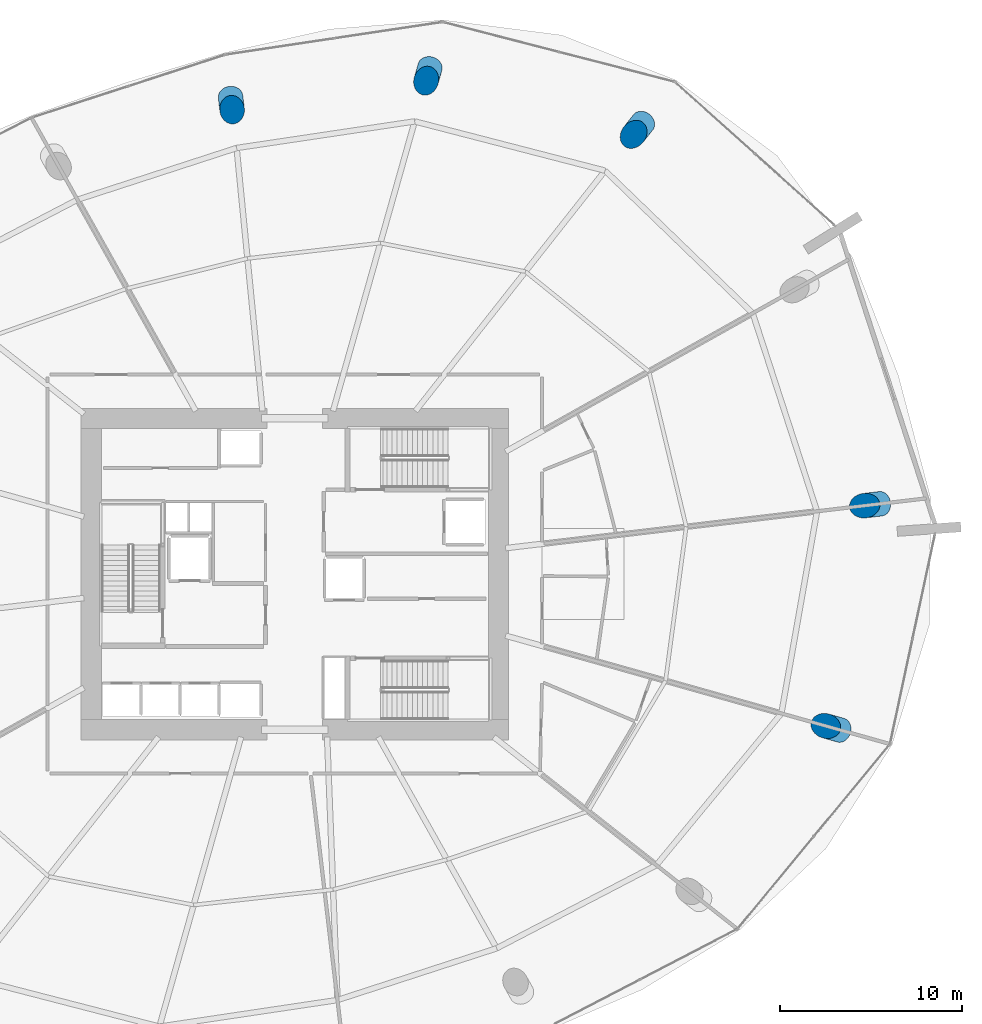
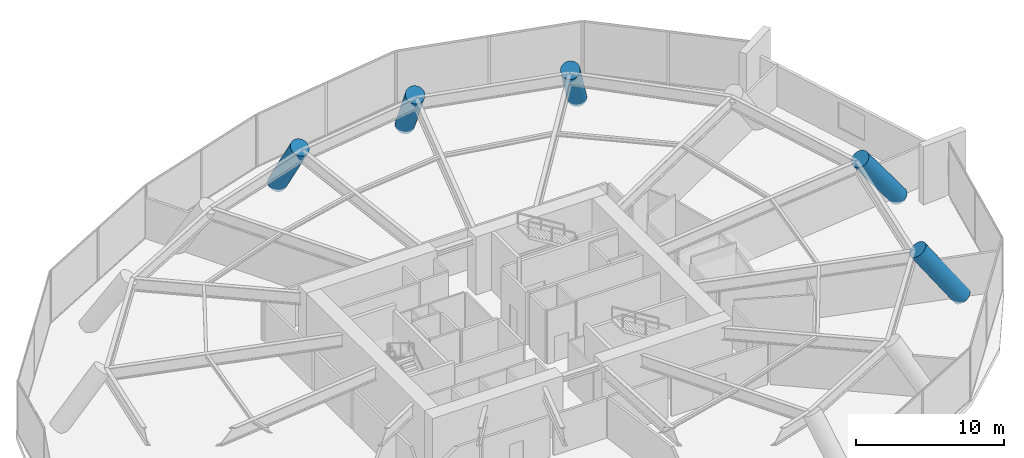
# One storey, part 6 of 21: 5 columns.
"""IFC4 building model written with IfcOpenShell, lengths in metres."""

import ifcopenshell
import ifcopenshell.guid

model = None  # the IFC model being written
_history = None  # IfcOwnerHistory: only IFC2X3 demands one
_inside = {}  # id of a spatial element -> (the spatial element, [elements in it])
_under = {}  # id of a project, library or spatial element -> (it, [spatial elements below it])
_declared = {}  # id of a project -> (the project, [libraries it declares])
_typed = {}  # id of a type object -> (the type object, [elements of that type])
_made_of = {}  # id of a material, layer set ... -> (it, [elements and type objects made of it])


def new_model(schema):
    """Start an empty IFC model of exactly this schema.

    Asked for "IFC4X3", IfcOpenShell would pick the latest addendum, in which some entities
    have other attributes; the version numbers below select the first issue.
    IFC2X3 requires an IfcOwnerHistory on every rooted entity: one is made here for all.
    """
    global model, _history
    if schema == "IFC4X3":
        model = ifcopenshell.file(schema_version=(4, 3, 0, 0))
    else:
        model = ifcopenshell.file(schema=schema)
    _inside.clear()
    _under.clear()
    _declared.clear()
    _typed.clear()
    _made_of.clear()
    _history = None
    if model.schema == "IFC2X3":
        org = make("IfcOrganization", Name="unknown")
        user = make(
            "IfcPersonAndOrganization",
            ThePerson=make("IfcPerson", FamilyName="unknown"),
            TheOrganization=org,
        )
        app = make(
            "IfcApplication",
            ApplicationDeveloper=org,
            Version="unknown",
            ApplicationFullName="unknown",
            ApplicationIdentifier="unknown",
        )
        _history = make(
            "IfcOwnerHistory",
            OwningUser=user,
            OwningApplication=app,
            ChangeAction="ADDED",
            CreationDate=0,
        )
    return model


def make(cls, **values):
    """One entity of the class cls with the attributes given. An attribute that is None is left unset."""
    return model.create_entity(
        cls, **{name: value for name, value in values.items() if value is not None}
    )


def rooted(cls, **values):
    """An entity with a GlobalId (a new one), such as an element, a storey or a relation."""
    return make(cls, GlobalId=ifcopenshell.guid.new(), OwnerHistory=_history, **values)


def si_unit(unit_type, name, prefix=None):
    """IfcSIUnit, for example si_unit("LENGTHUNIT", "METRE", prefix="MILLI")."""
    return make("IfcSIUnit", UnitType=unit_type, Prefix=prefix, Name=name)


def assignment(units):
    """IfcUnitAssignment: the units of a project."""
    return None if units is None else make("IfcUnitAssignment", Units=units)


def point(xyz):
    """IfcCartesianPoint."""
    return None if xyz is None else make("IfcCartesianPoint", Coordinates=xyz)


def direction(xyz):
    """IfcDirection."""
    return None if xyz is None else make("IfcDirection", DirectionRatios=xyz)


def frame(location, z_axis=None, x_axis=None):
    """IfcAxis2Placement3D, a coordinate frame: its origin and axes. An axis left out is left unset."""
    return make(
        "IfcAxis2Placement3D",
        Location=point(location),
        Axis=direction(z_axis),
        RefDirection=direction(x_axis),
    )


def frame_2d(location, x_axis=None):
    """IfcAxis2Placement2D, a coordinate frame in the plane: its origin and x axis."""
    return make(
        "IfcAxis2Placement2D", Location=point(location), RefDirection=direction(x_axis)
    )


def origin():
    """The frame at (0, 0, 0) with its axes left unset."""
    return frame((0.0, 0.0, 0.0))


def origin_2d():
    """The frame at (0, 0) in the plane with its x axis left unset."""
    return frame_2d((0.0, 0.0))


def place(relative_to, where):
    """IfcLocalPlacement: puts the frame where relative to a parent placement (None: the world)."""
    return make(
        "IfcLocalPlacement", PlacementRelTo=relative_to, RelativePlacement=where
    )


def context(
    kind, dimensions, precision=None, world=None, true_north=None, identifier=None
):
    """IfcGeometricRepresentationContext, for example the 3D "Model" context."""
    return make(
        "IfcGeometricRepresentationContext",
        ContextIdentifier=identifier,
        ContextType=kind,
        CoordinateSpaceDimension=dimensions,
        Precision=precision,
        WorldCoordinateSystem=world,
        TrueNorth=true_north,
    )


def subcontext(parent, identifier, kind, view, scale=None):
    """IfcGeometricRepresentationSubContext, for example "Body" below "Model"."""
    return make(
        "IfcGeometricRepresentationSubContext",
        ContextIdentifier=identifier,
        ContextType=kind,
        ParentContext=parent,
        TargetScale=scale,
        TargetView=view,
    )


def project(units=None, contexts=None):
    """IfcProject with its units and contexts."""
    return rooted(
        "IfcProject",
        Name="project",
        RepresentationContexts=contexts,
        UnitsInContext=assignment(units),
    )


def spatial(cls, under=None, at=None, **own):
    """A site, building, storey or space (cls), placed at a placement, below another one or the project."""
    s = rooted(cls, ObjectPlacement=at, **own)
    if under is not None:
        _under.setdefault(under.id(), (under, []))[1].append(s)
    return s


def profile(cls, at=None, kind="AREA", **sizes):
    """A parametric profile (cls). Its sizes go by their IFC names, for example OverallWidth=200.0."""
    return make(cls, ProfileType=kind, Position=at, **sizes)


def circle(**sizes):
    """IfcCircleProfileDef."""
    return profile("IfcCircleProfileDef", **sizes)


def extrude(swept, where, along, depth):
    """IfcExtrudedAreaSolid: the profile swept, set in the frame where, extruded along a direction by depth."""
    return make(
        "IfcExtrudedAreaSolid",
        SweptArea=swept,
        Position=where,
        ExtrudedDirection=direction(along),
        Depth=depth,
    )


def shape(context_of_items, identifier, shape_type, items):
    """IfcShapeRepresentation: the items that make up one representation, for example the "Body"."""
    return make(
        "IfcShapeRepresentation",
        ContextOfItems=context_of_items,
        RepresentationIdentifier=identifier,
        RepresentationType=shape_type,
        Items=items,
    )


def material(Name=None, Category=None):
    """IfcMaterial."""
    return make("IfcMaterial", Name=Name, Category=Category)


def material_profile(
    of_material, cross_section, Name=None, Category=None, Priority=None
):
    """IfcMaterialProfile: a cross section and its material."""
    return make(
        "IfcMaterialProfile",
        Name=Name,
        Material=of_material,
        Profile=cross_section,
        Priority=Priority,
        Category=Category,
    )


def profile_set(profiles, Name=None, composite=None):
    """IfcMaterialProfileSet."""
    return make(
        "IfcMaterialProfileSet",
        Name=Name,
        MaterialProfiles=profiles,
        CompositeProfile=composite,
    )


def made_of(thing, what):
    """Note that an element or type object is made of a material, layer set ...; save() writes the relation."""
    if what is not None:
        _made_of.setdefault(what.id(), (what, []))[1].append(thing)
    return thing


def type_object(cls, material=None, **own):
    """A type object (cls), such as IfcWallType, which elements share."""
    return made_of(rooted(cls, **own), material)


def element(
    cls,
    number,
    at=None,
    inside=None,
    cuts=None,
    type_object=None,
    material=None,
    context=None,
    identifier="Body",
    shape_type=None,
    held_by="IfcProductDefinitionShape",
    body=None,
    shapes=None,
    **own,
):
    """One element of the class cls, such as IfcWall. Its Tag is "e" and its number.

    at: its placement. inside: the storey or other place that contains it. cuts: it is an
    opening in that element (IfcRelVoidsElement). A single representation is given by context,
    identifier, shape_type and body (its items); several are given by shapes. held_by: the class
    of the entity that holds the representations. save() writes the other relations.
    """
    e = rooted(cls, Tag="e%d" % number, ObjectPlacement=at, **own)
    if body is not None:
        shapes = [shape(context, identifier, shape_type, body)]
    if shapes is not None:
        e.Representation = make(held_by, Representations=shapes)
    if inside is not None:
        _inside.setdefault(inside.id(), (inside, []))[1].append(e)
    if cuts is not None:
        rooted(
            "IfcRelVoidsElement", RelatingBuildingElement=cuts, RelatedOpeningElement=e
        )
    if type_object is not None:
        _typed.setdefault(type_object.id(), (type_object, []))[1].append(e)
    return made_of(e, material)


def aggregate(whole, parts):
    """IfcRelAggregates: a whole, such as a stair, and the parts it consists of."""
    return rooted("IfcRelAggregates", RelatingObject=whole, RelatedObjects=parts)


def save(model, path):
    """Write the relations noted so far, then the file.

    IfcRelAggregates (storeys below a building ...), IfcRelContainedInSpatialStructure (elements
    in a storey), IfcRelDefinesByType, IfcRelAssociatesMaterial and IfcRelDeclares: one each for
    every whole, place, type object, material and project.
    """
    for whole, parts in _under.values():
        aggregate(whole, parts)
    for where, things in _inside.values():
        rooted(
            "IfcRelContainedInSpatialStructure",
            RelatedElements=things,
            RelatingStructure=where,
        )
    for kind, things in _typed.values():
        rooted("IfcRelDefinesByType", RelatedObjects=things, RelatingType=kind)
    for what, things in _made_of.values():
        rooted("IfcRelAssociatesMaterial", RelatedObjects=things, RelatingMaterial=what)
    for by, libraries in _declared.values():
        rooted("IfcRelDeclares", RelatingContext=by, RelatedDefinitions=libraries)
    model.write(path)


model = new_model("IFC4")

# Units and contexts
model_context = context("Model", 3, precision=1e-05, world=origin(), true_north=direction((0.0, 1.0)))
body_context = subcontext(model_context, "Body", "Model", "MODEL_VIEW")
ifc_project = project(units=[si_unit("LENGTHUNIT", "METRE"), si_unit("AREAUNIT", "SQUARE_METRE"), si_unit("VOLUMEUNIT", "CUBIC_METRE"), si_unit("PLANEANGLEUNIT", "RADIAN"), si_unit("MASSUNIT", "GRAM", prefix="KILO")], contexts=[model_context])

# Site, building, storey
site_placement = place(None, origin())
site = spatial("IfcSite", under=ifc_project, at=site_placement, CompositionType="ELEMENT")
building_placement = place(site_placement, origin())
building = spatial("IfcBuilding", under=site, at=building_placement, Name="Kazma Halo Residences", CompositionType="ELEMENT")
storey_placement = place(building_placement, frame((0.0, 0.0, 21.60009765625)))
storey = spatial("IfcBuildingStorey", under=building, at=storey_placement, Name="L04", CompositionType="ELEMENT", Elevation=21.60009765625)

# Columns
ifc_material = material(Name="Concrete C80/95", Category="concrete")
ifc_material_profile = material_profile(ifc_material, circle(Radius=0.675048828125, at=origin_2d()), Name="CIRC1350")
ifc_profile_set = profile_set([ifc_material_profile], Name="Concrete C80/95")
column_type = type_object("IfcColumnType", Name="COL-PERIM-1350", PredefinedType="COLUMN", material=ifc_profile_set)
column_1_placement = place(storey_placement, frame((67.55322265625, 66.80322265625, 0.0), z_axis=(-0.356725734072, -0.452505641313, 0.817303734991), x_axis=(0.785317732316, -0.619092932692, 0.0)))
element("IfcColumn", 1, at=column_1_placement, inside=storey, type_object=column_type, Name="L04 perimeter ring column P02", PredefinedType="COLUMN", context=body_context, shape_type="SweptSolid", body=[
    extrude(circle(Radius=0.675048828125, at=origin_2d()), origin(), (0.0, 0.0, 1.0), 5.383544921875),
])
column_2_placement = place(storey_placement, frame((55.84912109375, 69.831298828125, 0.0), z_axis=(-0.147178359761, -0.521954043675, 0.840180044222), x_axis=(0.96246867816, -0.271392784651, 0.0)))
element("IfcColumn", 2, at=column_2_placement, inside=storey, type_object=column_type, Name="L04 perimeter ring column P03", PredefinedType="COLUMN", context=body_context, shape_type="SweptSolid", body=[
    extrude(circle(Radius=0.675048828125, at=origin_2d()), origin(), (0.0, 0.0, 1.0), 5.23681640625),
])
column_3_placement = place(storey_placement, frame((44.8994140625, 68.196044921875, 0.0), z_axis=(0.059672671042, -0.50387067904, 0.861715446731), x_axis=(0.993060254335, 0.117606680339, 0.0)))
element("IfcColumn", 3, at=column_3_placement, inside=storey, type_object=column_type, Name="L04 perimeter ring column P04", PredefinedType="COLUMN", context=body_context, shape_type="SweptSolid", body=[
    extrude(circle(Radius=0.675048828125, at=origin_2d()), origin(), (0.0, 0.0, 1.0), 5.10595703125),
])
column_4_placement = place(storey_placement, frame((78.397705078125, 33.427001953125, 0.0), z_axis=(-0.554552366056, 0.156415694351, 0.817316220237), x_axis=(-0.271465773361, -0.96244809413, 0.0)))
element("IfcColumn", 4, at=column_4_placement, inside=storey, type_object=column_type, Name="L04 perimeter ring column P15", PredefinedType="COLUMN", context=body_context, shape_type="SweptSolid", body=[
    extrude(circle(Radius=0.675048828125, at=origin_2d()), origin(), (0.0, 0.0, 1.0), 5.38330078125),
])
column_5_placement = place(storey_placement, frame((80.589599609375, 45.857177734375, 0.0), z_axis=(-0.586842932978, -0.069427413352, 0.806718790093), x_axis=(0.117487290092, -0.993074386271, 0.0)))
element("IfcColumn", 5, at=column_5_placement, inside=storey, type_object=column_type, Name="L04 perimeter ring column P16", PredefinedType="COLUMN", context=body_context, shape_type="SweptSolid", body=[
    extrude(circle(Radius=0.675048828125, at=origin_2d()), origin(), (0.0, 0.0, 1.0), 5.4541015625),
])

save(model, "model.ifc")
